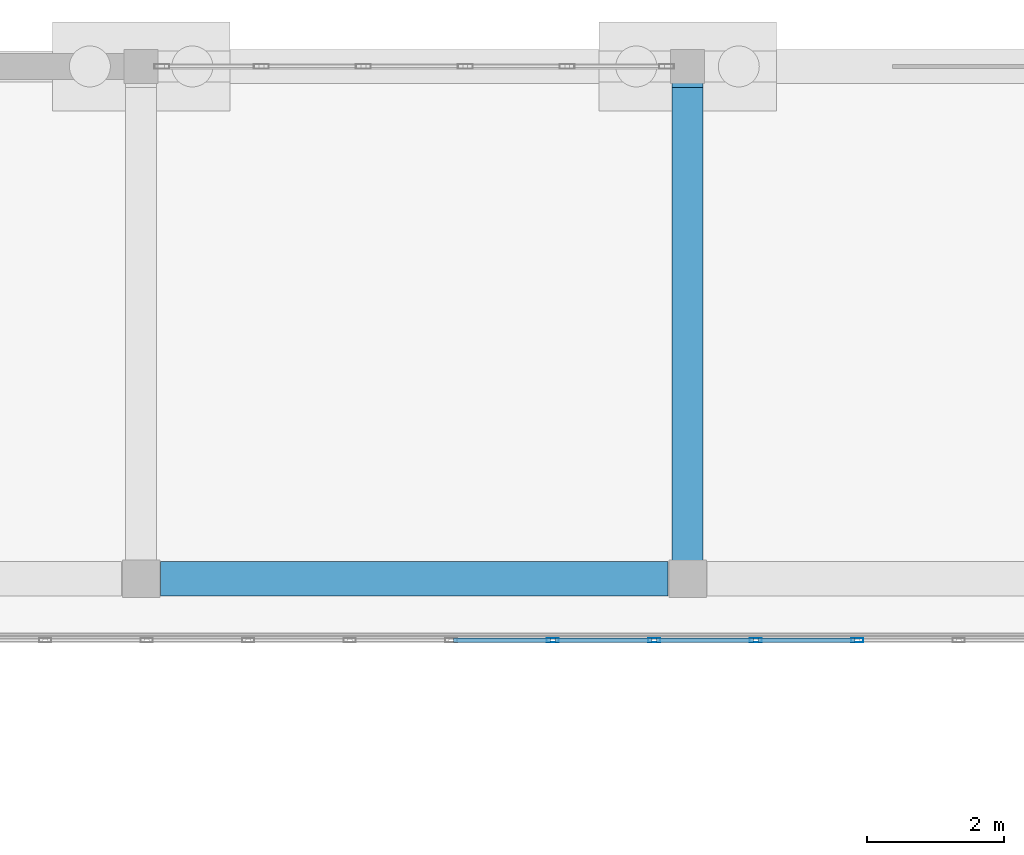
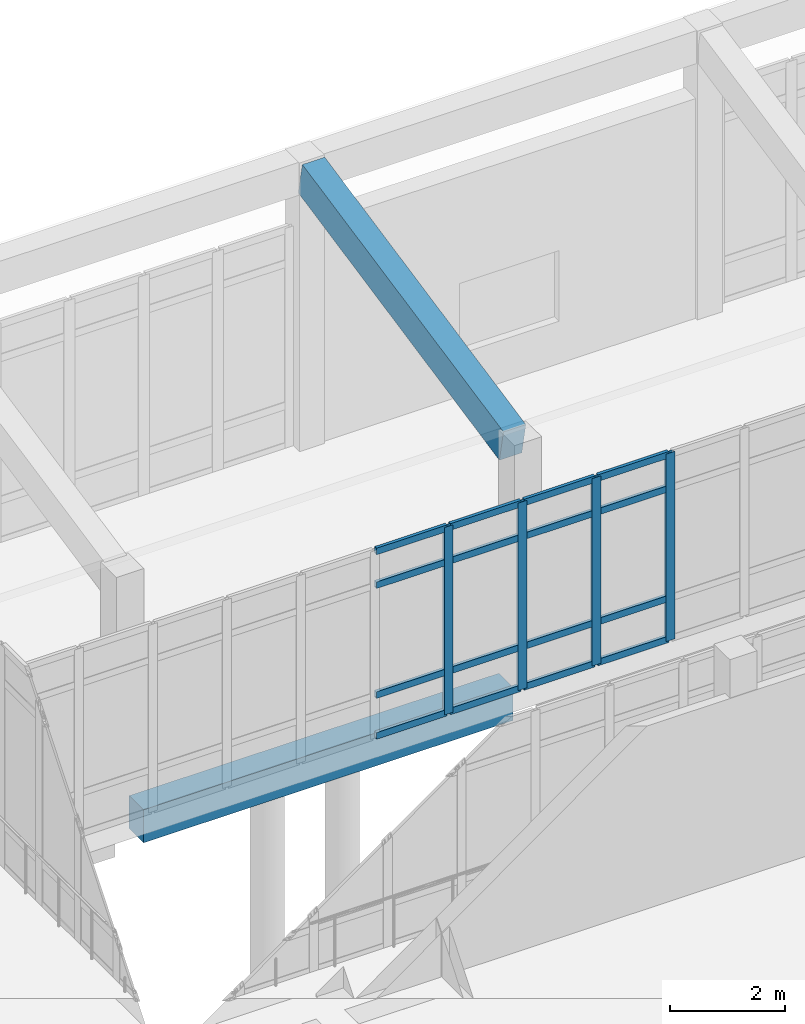
# One storey, part 88 of 173: 20 members, 2 beams, 1 element without a shape of its own.
"""IFC4 building model written with IfcOpenShell, lengths in metres."""

from ifc_helpers import new_model, si_unit, direction, frame, origin, origin_2d, place, context, subcontext, project, spatial, rectangle, hollow_rectangle, extrude, material, layer, layer_set, material_profile, profile_set, type_object, element, aggregate, save


model = new_model("IFC4")

# Units and contexts
model_context = context("Model", 3, precision=1e-05, world=origin(), true_north=direction((0.0, 1.0)))
body_context = subcontext(model_context, "Body", "Model", "MODEL_VIEW")
ifc_project = project(units=[si_unit("LENGTHUNIT", "METRE"), si_unit("AREAUNIT", "SQUARE_METRE"), si_unit("VOLUMEUNIT", "CUBIC_METRE"), si_unit("PLANEANGLEUNIT", "RADIAN"), si_unit("MASSUNIT", "GRAM", prefix="KILO")], contexts=[model_context])

# Site, building, storey
site_placement = place(None, origin())
site = spatial("IfcSite", under=ifc_project, at=site_placement, CompositionType="ELEMENT")
building_placement = place(site_placement, origin())
building = spatial("IfcBuilding", under=site, at=building_placement, Name="Mawjan Specialist Oncology Clinic", CompositionType="ELEMENT")
storey_placement = place(building_placement, origin())
storey = spatial("IfcBuildingStorey", under=building, at=storey_placement, Name="L00", CompositionType="ELEMENT", Elevation=0.0)

# Beam
ifc_material_1 = material(Name="Concrete C40/50", Category="concrete")
ifc_material_profile_1 = material_profile(ifc_material_1, rectangle(XDim=0.449951171875, YDim=0.699951171875, at=origin_2d()), Name="RC BM 450x700", Category="concrete")
ifc_profile_set_1 = profile_set([ifc_material_profile_1], Name="Concrete C40/50")
beam_type_1 = type_object("IfcBeamType", Name="BM-450x700", PredefinedType="BEAM", material=ifc_profile_set_1)
beam_1_placement = place(storey_placement, frame((124.0, 106.06005859375, 4.35009765625), z_axis=(0.0, 0.979626475295, 0.200828207434), x_axis=(-1.0, 0.0, 0.0)))
element("IfcBeam", 1, at=beam_1_placement, inside=storey, type_object=beam_type_1, Name="L00 Roof Framing Beam BM-RF-L00-1273", PredefinedType="BEAM", context=body_context, shape_type="SweptSolid", body=[
    extrude(rectangle(XDim=0.449951171875, YDim=0.699951171875, at=origin_2d()), origin(), (0.0, 0.0, 1.0), 7.150634765625),
])

# Curtain wall, members
ifc_material_2 = material(Name="Unitised spectrally selective aluminium curtain wall", Category="aluminium")
ifc_layer = layer(ifc_material_2, 0.179931640625, Name="Unitised spectrally selective aluminium curtain wall", Category="aluminium")
ifc_layer_set = layer_set([ifc_layer], Name="Unitised spectrally selective aluminium curtain wall")
curtain_wall_type = type_object("IfcCurtainWallType", Name="CW-33", PredefinedType="NOTDEFINED", material=ifc_layer_set)
curtain_wall_placement = place(storey_placement, origin())
curtain_wall = element("IfcCurtainWall", 2, at=curtain_wall_placement, inside=storey, type_object=curtain_wall_type, Name="L00 Unitised Curtain Wall CW-L00-072", PredefinedType="NOTDEFINED")
ifc_material_3 = material(Name="Thermally broken aluminium 6063-T6", Category="aluminium")
ifc_material_profile_2 = material_profile(ifc_material_3, hollow_rectangle(XDim=0.06494140625, YDim=0.179931640625, WallThickness=0.00390625, at=origin_2d()), Name="ALU MULLION 180x65x4", Category="aluminium")
ifc_profile_set_2 = profile_set([ifc_material_profile_2], Name="Thermally broken aluminium 6063-T6")
member_type_1 = type_object("IfcMemberType", Name="CW-M180", PredefinedType="MULLION", material=ifc_profile_set_2)
member_1_placement = place(storey_placement, frame((126.48486328125, 104.89990234375, 0.0), z_axis=(0.0, 0.0, 1.0), x_axis=(0.0, -1.0, 0.0)))
member_1 = element("IfcMember", 3, at=member_1_placement, type_object=member_type_1, Name="CW-33 mullion 15", PredefinedType="MULLION", context=body_context, shape_type="SweptSolid", body=[
    extrude(hollow_rectangle(XDim=0.06494140625, YDim=0.179931640625, WallThickness=0.00390625, at=origin_2d()), origin(), (0.0, 0.0, 1.0), 3.985107421875),
])
member_2_placement = place(storey_placement, frame((124.998779296875, 104.89990234375, 0.0), z_axis=(0.0, 0.0, 1.0), x_axis=(0.0, -1.0, 0.0)))
member_2 = element("IfcMember", 4, at=member_2_placement, type_object=member_type_1, Name="CW-33 mullion 16", PredefinedType="MULLION", context=body_context, shape_type="SweptSolid", body=[
    extrude(hollow_rectangle(XDim=0.06494140625, YDim=0.179931640625, WallThickness=0.00390625, at=origin_2d()), origin(), (0.0, 0.0, 1.0), 3.985107421875),
])
member_3_placement = place(storey_placement, frame((123.5126953125, 104.89990234375, 0.0), z_axis=(0.0, 0.0, 1.0), x_axis=(0.0, -1.0, 0.0)))
member_3 = element("IfcMember", 5, at=member_3_placement, type_object=member_type_1, Name="CW-33 mullion 17", PredefinedType="MULLION", context=body_context, shape_type="SweptSolid", body=[
    extrude(hollow_rectangle(XDim=0.06494140625, YDim=0.179931640625, WallThickness=0.00390625, at=origin_2d()), origin(), (0.0, 0.0, 1.0), 3.985107421875),
])
member_4_placement = place(storey_placement, frame((122.026611328125, 104.89990234375, 0.0), z_axis=(0.0, 0.0, 1.0), x_axis=(0.0, -1.0, 0.0)))
member_4 = element("IfcMember", 6, at=member_4_placement, type_object=member_type_1, Name="CW-33 mullion 18", PredefinedType="MULLION", context=body_context, shape_type="SweptSolid", body=[
    extrude(hollow_rectangle(XDim=0.06494140625, YDim=0.179931640625, WallThickness=0.00390625, at=origin_2d()), origin(), (0.0, 0.0, 1.0), 3.985107421875),
])
ifc_material_4 = material(Name="Thermally broken aluminium 6063-T6", Category="aluminium")
ifc_material_profile_3 = material_profile(ifc_material_4, hollow_rectangle(XDim=0.06494140625, YDim=0.139892578125, WallThickness=0.00390625, at=origin_2d()), Name="ALU TRANSOM 140x65x4", Category="aluminium")
ifc_profile_set_3 = profile_set([ifc_material_profile_3], Name="Thermally broken aluminium 6063-T6")
member_type_2 = type_object("IfcMemberType", Name="CW-T140", PredefinedType="USERDEFINED", material=ifc_profile_set_3)
member_5_placement = place(storey_placement, frame((126.452392578125, 104.89990234375, 0.032470703125), z_axis=(-1.0, 0.0, 0.0), x_axis=(0.0, -1.0, 0.0)))
member_5 = element("IfcMember", 7, at=member_5_placement, type_object=member_type_2, Name="CW-33 transom 15.1", ObjectType="TRANSOM", PredefinedType="USERDEFINED", context=body_context, shape_type="SweptSolid", body=[
    extrude(hollow_rectangle(XDim=0.06494140625, YDim=0.139892578125, WallThickness=0.00390625, at=origin_2d()), origin(), (0.0, 0.0, 1.0), 1.421142578125),
])
member_6_placement = place(storey_placement, frame((126.452392578125, 104.89990234375, 0.89990234375), z_axis=(-1.0, 0.0, 0.0), x_axis=(0.0, -1.0, 0.0)))
member_6 = element("IfcMember", 8, at=member_6_placement, type_object=member_type_2, Name="CW-33 transom 15.2", ObjectType="TRANSOM", PredefinedType="USERDEFINED", context=body_context, shape_type="SweptSolid", body=[
    extrude(hollow_rectangle(XDim=0.06494140625, YDim=0.139892578125, WallThickness=0.00390625, at=origin_2d()), origin(), (0.0, 0.0, 1.0), 1.421142578125),
])
member_7_placement = place(storey_placement, frame((126.452392578125, 104.89990234375, 3.235107421875), z_axis=(-1.0, 0.0, 0.0), x_axis=(0.0, -1.0, 0.0)))
member_7 = element("IfcMember", 9, at=member_7_placement, type_object=member_type_2, Name="CW-33 transom 15.3", ObjectType="TRANSOM", PredefinedType="USERDEFINED", context=body_context, shape_type="SweptSolid", body=[
    extrude(hollow_rectangle(XDim=0.06494140625, YDim=0.139892578125, WallThickness=0.00390625, at=origin_2d()), origin(), (0.0, 0.0, 1.0), 1.421142578125),
])
member_8_placement = place(storey_placement, frame((126.452392578125, 104.89990234375, 3.952392578125), z_axis=(-1.0, 0.0, 0.0), x_axis=(0.0, -1.0, 0.0)))
member_8 = element("IfcMember", 10, at=member_8_placement, type_object=member_type_2, Name="CW-33 transom 15.4", ObjectType="TRANSOM", PredefinedType="USERDEFINED", context=body_context, shape_type="SweptSolid", body=[
    extrude(hollow_rectangle(XDim=0.06494140625, YDim=0.139892578125, WallThickness=0.00390625, at=origin_2d()), origin(), (0.0, 0.0, 1.0), 1.421142578125),
])
member_9_placement = place(storey_placement, frame((124.96630859375, 104.89990234375, 0.032470703125), z_axis=(-1.0, 0.0, 0.0), x_axis=(0.0, -1.0, 0.0)))
member_9 = element("IfcMember", 11, at=member_9_placement, type_object=member_type_2, Name="CW-33 transom 16.1", ObjectType="TRANSOM", PredefinedType="USERDEFINED", context=body_context, shape_type="SweptSolid", body=[
    extrude(hollow_rectangle(XDim=0.06494140625, YDim=0.139892578125, WallThickness=0.00390625, at=origin_2d()), origin(), (0.0, 0.0, 1.0), 1.421142578125),
])
member_10_placement = place(storey_placement, frame((124.96630859375, 104.89990234375, 0.89990234375), z_axis=(-1.0, 0.0, 0.0), x_axis=(0.0, -1.0, 0.0)))
member_10 = element("IfcMember", 12, at=member_10_placement, type_object=member_type_2, Name="CW-33 transom 16.2", ObjectType="TRANSOM", PredefinedType="USERDEFINED", context=body_context, shape_type="SweptSolid", body=[
    extrude(hollow_rectangle(XDim=0.06494140625, YDim=0.139892578125, WallThickness=0.00390625, at=origin_2d()), origin(), (0.0, 0.0, 1.0), 1.421142578125),
])
member_11_placement = place(storey_placement, frame((124.96630859375, 104.89990234375, 3.235107421875), z_axis=(-1.0, 0.0, 0.0), x_axis=(0.0, -1.0, 0.0)))
member_11 = element("IfcMember", 13, at=member_11_placement, type_object=member_type_2, Name="CW-33 transom 16.3", ObjectType="TRANSOM", PredefinedType="USERDEFINED", context=body_context, shape_type="SweptSolid", body=[
    extrude(hollow_rectangle(XDim=0.06494140625, YDim=0.139892578125, WallThickness=0.00390625, at=origin_2d()), origin(), (0.0, 0.0, 1.0), 1.421142578125),
])
member_12_placement = place(storey_placement, frame((124.96630859375, 104.89990234375, 3.952392578125), z_axis=(-1.0, 0.0, 0.0), x_axis=(0.0, -1.0, 0.0)))
member_12 = element("IfcMember", 14, at=member_12_placement, type_object=member_type_2, Name="CW-33 transom 16.4", ObjectType="TRANSOM", PredefinedType="USERDEFINED", context=body_context, shape_type="SweptSolid", body=[
    extrude(hollow_rectangle(XDim=0.06494140625, YDim=0.139892578125, WallThickness=0.00390625, at=origin_2d()), origin(), (0.0, 0.0, 1.0), 1.421142578125),
])
member_13_placement = place(storey_placement, frame((123.480224609375, 104.89990234375, 0.032470703125), z_axis=(-1.0, 0.0, 0.0), x_axis=(0.0, -1.0, 0.0)))
member_13 = element("IfcMember", 15, at=member_13_placement, type_object=member_type_2, Name="CW-33 transom 17.1", ObjectType="TRANSOM", PredefinedType="USERDEFINED", context=body_context, shape_type="SweptSolid", body=[
    extrude(hollow_rectangle(XDim=0.06494140625, YDim=0.139892578125, WallThickness=0.00390625, at=origin_2d()), origin(), (0.0, 0.0, 1.0), 1.421142578125),
])
member_14_placement = place(storey_placement, frame((123.480224609375, 104.89990234375, 0.89990234375), z_axis=(-1.0, 0.0, 0.0), x_axis=(0.0, -1.0, 0.0)))
member_14 = element("IfcMember", 16, at=member_14_placement, type_object=member_type_2, Name="CW-33 transom 17.2", ObjectType="TRANSOM", PredefinedType="USERDEFINED", context=body_context, shape_type="SweptSolid", body=[
    extrude(hollow_rectangle(XDim=0.06494140625, YDim=0.139892578125, WallThickness=0.00390625, at=origin_2d()), origin(), (0.0, 0.0, 1.0), 1.421142578125),
])
member_15_placement = place(storey_placement, frame((123.480224609375, 104.89990234375, 3.235107421875), z_axis=(-1.0, 0.0, 0.0), x_axis=(0.0, -1.0, 0.0)))
member_15 = element("IfcMember", 17, at=member_15_placement, type_object=member_type_2, Name="CW-33 transom 17.3", ObjectType="TRANSOM", PredefinedType="USERDEFINED", context=body_context, shape_type="SweptSolid", body=[
    extrude(hollow_rectangle(XDim=0.06494140625, YDim=0.139892578125, WallThickness=0.00390625, at=origin_2d()), origin(), (0.0, 0.0, 1.0), 1.421142578125),
])
member_16_placement = place(storey_placement, frame((123.480224609375, 104.89990234375, 3.952392578125), z_axis=(-1.0, 0.0, 0.0), x_axis=(0.0, -1.0, 0.0)))
member_16 = element("IfcMember", 18, at=member_16_placement, type_object=member_type_2, Name="CW-33 transom 17.4", ObjectType="TRANSOM", PredefinedType="USERDEFINED", context=body_context, shape_type="SweptSolid", body=[
    extrude(hollow_rectangle(XDim=0.06494140625, YDim=0.139892578125, WallThickness=0.00390625, at=origin_2d()), origin(), (0.0, 0.0, 1.0), 1.421142578125),
])
member_17_placement = place(storey_placement, frame((121.994140625, 104.89990234375, 0.032470703125), z_axis=(-1.0, 0.0, 0.0), x_axis=(0.0, -1.0, 0.0)))
member_17 = element("IfcMember", 19, at=member_17_placement, type_object=member_type_2, Name="CW-33 transom 18.1", ObjectType="TRANSOM", PredefinedType="USERDEFINED", context=body_context, shape_type="SweptSolid", body=[
    extrude(hollow_rectangle(XDim=0.06494140625, YDim=0.139892578125, WallThickness=0.00390625, at=origin_2d()), origin(), (0.0, 0.0, 1.0), 1.421142578125),
])
member_18_placement = place(storey_placement, frame((121.994140625, 104.89990234375, 0.89990234375), z_axis=(-1.0, 0.0, 0.0), x_axis=(0.0, -1.0, 0.0)))
member_18 = element("IfcMember", 20, at=member_18_placement, type_object=member_type_2, Name="CW-33 transom 18.2", ObjectType="TRANSOM", PredefinedType="USERDEFINED", context=body_context, shape_type="SweptSolid", body=[
    extrude(hollow_rectangle(XDim=0.06494140625, YDim=0.139892578125, WallThickness=0.00390625, at=origin_2d()), origin(), (0.0, 0.0, 1.0), 1.421142578125),
])
member_19_placement = place(storey_placement, frame((121.994140625, 104.89990234375, 3.235107421875), z_axis=(-1.0, 0.0, 0.0), x_axis=(0.0, -1.0, 0.0)))
member_19 = element("IfcMember", 21, at=member_19_placement, type_object=member_type_2, Name="CW-33 transom 18.3", ObjectType="TRANSOM", PredefinedType="USERDEFINED", context=body_context, shape_type="SweptSolid", body=[
    extrude(hollow_rectangle(XDim=0.06494140625, YDim=0.139892578125, WallThickness=0.00390625, at=origin_2d()), origin(), (0.0, 0.0, 1.0), 1.421142578125),
])
member_20_placement = place(storey_placement, frame((121.994140625, 104.89990234375, 3.952392578125), z_axis=(-1.0, 0.0, 0.0), x_axis=(0.0, -1.0, 0.0)))
member_20 = element("IfcMember", 22, at=member_20_placement, type_object=member_type_2, Name="CW-33 transom 18.4", ObjectType="TRANSOM", PredefinedType="USERDEFINED", context=body_context, shape_type="SweptSolid", body=[
    extrude(hollow_rectangle(XDim=0.06494140625, YDim=0.139892578125, WallThickness=0.00390625, at=origin_2d()), origin(), (0.0, 0.0, 1.0), 1.421142578125),
])
aggregate(curtain_wall, [member_1, member_2, member_3, member_4, member_5, member_6, member_7, member_8, member_9, member_10, member_11, member_12, member_13, member_14, member_15, member_16, member_17, member_18, member_19, member_20])

# Beam
ifc_material_5 = material(Name="Concrete C45/55", Category="concrete")
ifc_material_profile_4 = material_profile(ifc_material_5, rectangle(XDim=0.5, YDim=0.699951171875, at=origin_2d()), Name="RC BM 500x700", Category="concrete")
ifc_profile_set_4 = profile_set([ifc_material_profile_4], Name="Concrete C45/55")
beam_type_2 = type_object("IfcBeamType", Name="SP-500x700", PredefinedType="SPANDREL", material=ifc_profile_set_4)
beam_2_placement = place(storey_placement, frame((116.284912109375, 105.800048828125, -0.800048828125), z_axis=(1.0, 0.0, 0.0), x_axis=(0.0, 1.0, 0.0)))
element("IfcBeam", 23, at=beam_2_placement, inside=storey, type_object=beam_type_2, Name="L00 Spandrel Beam BM-L00-0096", PredefinedType="SPANDREL", context=body_context, shape_type="SweptSolid", body=[
    extrude(rectangle(XDim=0.5, YDim=0.699951171875, at=origin_2d()), origin(), (0.0, 0.0, 1.0), 7.43017578125),
])

save(model, "model.ifc")
